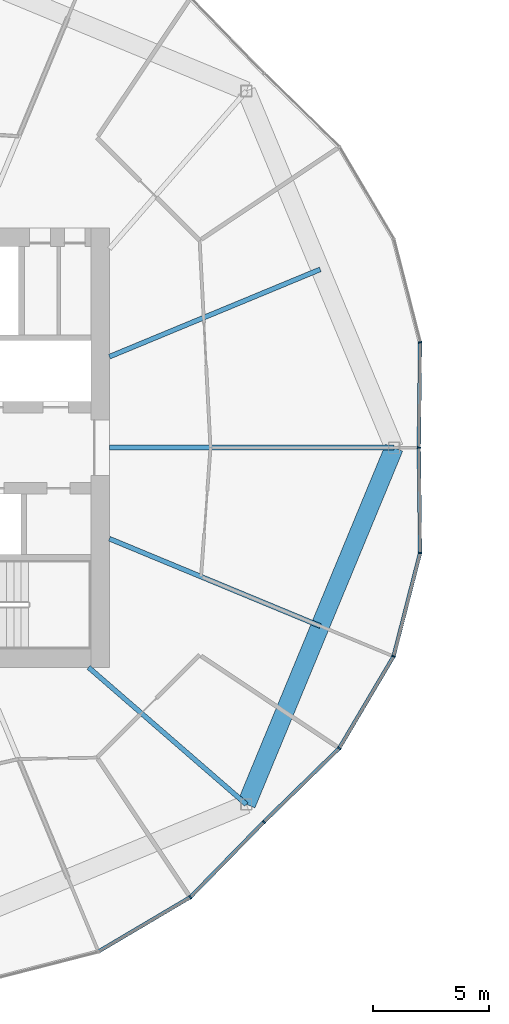
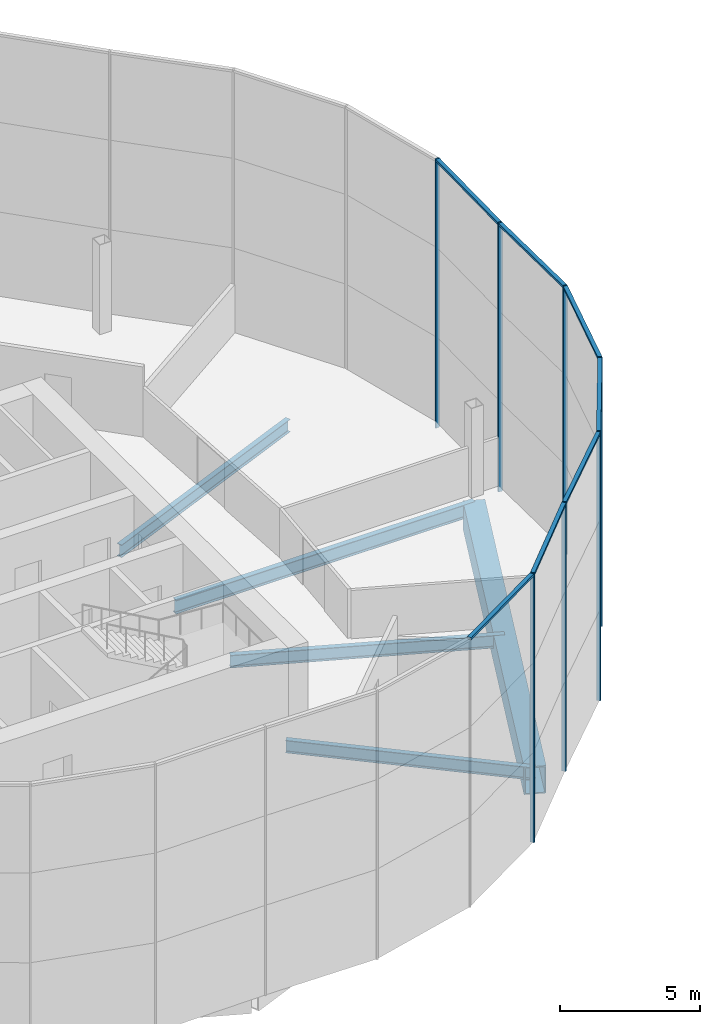
# One storey, part 6 of 25: 14 members, 5 beams, 3 elements without a shape of their own.
"""IFC4 building model written with IfcOpenShell, lengths in metres."""

from ifc_helpers import new_model, si_unit, direction, frame, origin, origin_2d, place, context, subcontext, project, spatial, rectangle, hollow_rectangle, i_section, extrude, material, material_profile, profile_set, type_object, element, aggregate, save


model = new_model("IFC4")

# Units and contexts
model_context = context("Model", 3, precision=1e-05, world=origin(), true_north=direction((0.0, 1.0)))
body_context = subcontext(model_context, "Body", "Model", "MODEL_VIEW")
ifc_project = project(units=[si_unit("LENGTHUNIT", "METRE"), si_unit("AREAUNIT", "SQUARE_METRE"), si_unit("VOLUMEUNIT", "CUBIC_METRE"), si_unit("PLANEANGLEUNIT", "RADIAN"), si_unit("MASSUNIT", "GRAM", prefix="KILO")], contexts=[model_context])

# Site, building, storey
site_placement = place(None, origin())
site = spatial("IfcSite", under=ifc_project, at=site_placement, CompositionType="ELEMENT")
building_placement = place(site_placement, origin())
building = spatial("IfcBuilding", under=site, at=building_placement, Name="Ogive Gate Towers", CompositionType="ELEMENT")
storey_placement = place(building_placement, frame((0.0, 0.0, 44.10009765625)))
storey = spatial("IfcBuildingStorey", under=building, at=storey_placement, Name="L09", CompositionType="ELEMENT", Elevation=44.10009765625)

# Beams
ifc_material_1 = material(Name="Steel SM460", Category="steel")
ifc_material_profile_1 = material_profile(ifc_material_1, hollow_rectangle(XDim=0.800048828125, YDim=1.199951171875, WallThickness=0.050048828125, at=origin_2d()), Name="BX 1200x800x50")
ifc_profile_set_1 = profile_set([ifc_material_profile_1], Name="Steel SM460")
beam_type_1 = type_object("IfcBeamType", Name="Edge girder BX 1200x800x50", PredefinedType="BEAM", material=ifc_profile_set_1)
beam_1_placement = place(storey_placement, frame((-20.577880859375, -15.422119140625, -0.900146484375), z_axis=(0.382677733282, 0.923881893128, 0.0), x_axis=(-0.923881893128, 0.382677733282, 0.0)))
element("IfcBeam", 1, at=beam_1_placement, inside=storey, type_object=beam_type_1, Name="T1/L09/SBM019", PredefinedType="BEAM", context=body_context, shape_type="SweptSolid", body=[
    extrude(hollow_rectangle(XDim=0.800048828125, YDim=1.199951171875, WallThickness=0.050048828125, at=origin_2d()), origin(), (0.0, 0.0, 1.0), 16.692626953125),
])
ifc_material_2 = material(Name="Steel SM355", Category="steel")
ifc_material_profile_2 = material_profile(ifc_material_2, i_section(OverallWidth=0.2099609375, OverallDepth=0.550048828125, WebThickness=0.010986328125, FlangeThickness=0.01708984375, FilletRadius=0.02392578125, at=origin_2d()), Name="IPE 550")
ifc_profile_set_2 = profile_set([ifc_material_profile_2], Name="Steel SM355")
beam_type_2 = type_object("IfcBeamType", Name="Radial floor beam IPE 550", PredefinedType="BEAM", material=ifc_profile_set_2)
beam_2_placement = place(storey_placement, frame((-27.39990234375, -9.5, -0.5751953125), z_axis=(0.755157389596, -0.655543527875, 0.0), x_axis=(0.655543527875, 0.755157389596, 0.0)))
element("IfcBeam", 2, at=beam_2_placement, inside=storey, type_object=beam_type_2, Name="T1/L09/SBM005", PredefinedType="BEAM", context=body_context, shape_type="SweptSolid", body=[
    extrude(i_section(OverallWidth=0.2099609375, OverallDepth=0.550048828125, WebThickness=0.010986328125, FlangeThickness=0.01708984375, FilletRadius=0.02392578125, at=origin_2d()), origin(), (0.0, 0.0, 1.0), 9.033935546875),
])
for number, where, z_axis, x_axis, name in (
    (3, (-26.5, -3.93505859375, -0.5751953125), (0.923882333645, -0.38267666976, 0.0), (0.38267666976, 0.923882333645, 0.0), "T1/L09/SBM006"),
    (4, (-26.5, 3.93505859375, -0.5751953125), (0.923882333645, 0.38267666976, 0.0), (-0.38267666976, 0.923882333645, 0.0), "T1/L09/SBM008"),
):
    element("IfcBeam", number, at=place(storey_placement, frame(where, z_axis=z_axis, x_axis=x_axis)), inside=storey, type_object=beam_type_2, Name=name, PredefinedType="BEAM", context=body_context, shape_type="SweptSolid", body=[
        extrude(i_section(OverallWidth=0.2099609375, OverallDepth=0.550048828125, WebThickness=0.010986328125, FlangeThickness=0.01708984375, FilletRadius=0.02392578125, at=origin_2d()), origin(), (0.0, 0.0, 1.0), 9.866943359375),
    ])
ifc_material_profile_3 = material_profile(ifc_material_2, i_section(OverallWidth=0.219970703125, OverallDepth=0.60009765625, WebThickness=0.011962890625, FlangeThickness=0.01904296875, FilletRadius=0.02392578125, at=origin_2d()), Name="IPE 600")
ifc_profile_set_3 = profile_set([ifc_material_profile_3], Name="Steel SM355")
beam_type_3 = type_object("IfcBeamType", Name="Radial floor beam IPE 600", PredefinedType="BEAM", material=ifc_profile_set_3)
beam_3_placement = place(storey_placement, frame((-26.5, 0.0, -0.60009765625), z_axis=(1.0, 0.0, 0.0), x_axis=(0.0, 1.0, 0.0)))
element("IfcBeam", 5, at=beam_3_placement, inside=storey, type_object=beam_type_3, Name="T1/L09/SBM007", PredefinedType="BEAM", context=body_context, shape_type="SweptSolid", body=[
    extrude(i_section(OverallWidth=0.219970703125, OverallDepth=0.60009765625, WebThickness=0.011962890625, FlangeThickness=0.01904296875, FilletRadius=0.02392578125, at=origin_2d()), origin(), (0.0, 0.0, 1.0), 12.31005859375),
])

# Curtain wall, members
ifc_material_3 = material(Name="Pale metal aluminium", Category="aluminium")
curtain_wall_type = type_object("IfcCurtainWallType", Name="Tower unitised wall, low zone", PredefinedType="NOTDEFINED", material=ifc_material_3)
curtain_wall_1_placement = place(storey_placement, origin())
curtain_wall_1 = element("IfcCurtainWall", 6, at=curtain_wall_1_placement, inside=storey, type_object=curtain_wall_type, Name="CW1 T1 ECW01", PredefinedType="NOTDEFINED")
ifc_material_profile_4 = material_profile(ifc_material_3, rectangle(XDim=0.159912109375, YDim=0.06005859375, at=origin_2d()), Name="60 x 160 aluminium box")
ifc_profile_set_4 = profile_set([ifc_material_profile_4], Name="Pale metal aluminium")
member_type_1 = type_object("IfcMemberType", Name="Tower unitised wall, low zone mullion 60 x 160", PredefinedType="MULLION", material=ifc_profile_set_4)
member_1_placement = place(storey_placement, frame((-13.1201171875, 0.000244140625, -0.300048828125), z_axis=(0.0, 0.0, 1.0), x_axis=(0.99993385595, -0.011501466179, 0.0)))
member_1 = element("IfcMember", 7, at=member_1_placement, type_object=member_type_1, Name="CW1 mullion", PredefinedType="MULLION", context=body_context, shape_type="SweptSolid", body=[
    extrude(rectangle(XDim=0.159912109375, YDim=0.06005859375, at=origin_2d()), origin(), (0.0, 0.0, 1.0), 11.699951171875),
])
member_2_placement = place(storey_placement, frame((-13.0673828125, 4.555419921875, -0.300048828125), z_axis=(0.0, 0.0, 1.0), x_axis=(0.992828457767, 0.119547703651, 0.0)))
member_2 = element("IfcMember", 8, at=member_2_placement, type_object=member_type_1, Name="CW1 mullion", PredefinedType="MULLION", context=body_context, shape_type="SweptSolid", body=[
    extrude(rectangle(XDim=0.159912109375, YDim=0.06005859375, at=origin_2d()), origin(), (0.0, 0.0, 1.0), 11.699951171875),
])

curtain_wall_2_placement = place(storey_placement, origin())
curtain_wall_2 = element("IfcCurtainWall", 9, at=curtain_wall_2_placement, inside=storey, type_object=curtain_wall_type, Name="CW1 T1 ECW07", PredefinedType="NOTDEFINED")
member_3_placement = place(storey_placement, frame((-23.00537109375, -19.43701171875, -0.300048828125), z_axis=(0.0, 0.0, 1.0), x_axis=(0.617516471235, -0.786557949393, 0.0)))
member_3 = element("IfcMember", 10, at=member_3_placement, type_object=member_type_1, Name="CW1 mullion", PredefinedType="MULLION", context=body_context, shape_type="SweptSolid", body=[
    extrude(rectangle(XDim=0.159912109375, YDim=0.06005859375, at=origin_2d()), origin(), (0.0, 0.0, 1.0), 11.699951171875),
])
member_4_placement = place(storey_placement, frame((-19.821533203125, -16.1787109375, -0.300048828125), z_axis=(0.0, 0.0, 1.0), x_axis=(0.715204973482, -0.698914762976, 0.0)))
member_4 = element("IfcMember", 11, at=member_4_placement, type_object=member_type_1, Name="CW1 mullion", PredefinedType="MULLION", context=body_context, shape_type="SweptSolid", body=[
    extrude(rectangle(XDim=0.159912109375, YDim=0.06005859375, at=origin_2d()), origin(), (0.0, 0.0, 1.0), 11.699951171875),
])

curtain_wall_3_placement = place(storey_placement, origin())
curtain_wall_3 = element("IfcCurtainWall", 12, at=curtain_wall_3_placement, inside=storey, type_object=curtain_wall_type, Name="CW1 T1 ECW08", PredefinedType="NOTDEFINED")
member_5_placement = place(storey_placement, frame((-16.56298828125, -12.99462890625, -0.300048828125), z_axis=(0.0, 0.0, 1.0), x_axis=(0.786557949393, -0.617516471235, 0.0)))
member_5 = element("IfcMember", 13, at=member_5_placement, type_object=member_type_1, Name="CW1 mullion", PredefinedType="MULLION", context=body_context, shape_type="SweptSolid", body=[
    extrude(rectangle(XDim=0.159912109375, YDim=0.06005859375, at=origin_2d()), origin(), (0.0, 0.0, 1.0), 11.699951171875),
])
member_6_placement = place(storey_placement, frame((-14.214111328125, -9.02392578125, -0.300048828125), z_axis=(0.0, 0.0, 1.0), x_axis=(0.923879532511, -0.382683432365, 0.0)))
member_6 = element("IfcMember", 14, at=member_6_placement, type_object=member_type_1, Name="CW1 mullion", PredefinedType="MULLION", context=body_context, shape_type="SweptSolid", body=[
    extrude(rectangle(XDim=0.159912109375, YDim=0.06005859375, at=origin_2d()), origin(), (0.0, 0.0, 1.0), 11.699951171875),
])
member_7_placement = place(storey_placement, frame((-13.0673828125, -4.555419921875, -0.300048828125), z_axis=(0.0, 0.0, 1.0), x_axis=(0.992828457767, -0.119547703651, 0.0)))
member_7 = element("IfcMember", 15, at=member_7_placement, type_object=member_type_1, Name="CW1 mullion", PredefinedType="MULLION", context=body_context, shape_type="SweptSolid", body=[
    extrude(rectangle(XDim=0.159912109375, YDim=0.06005859375, at=origin_2d()), origin(), (0.0, 0.0, 1.0), 11.699951171875),
])

# Member
ifc_material_profile_5 = material_profile(ifc_material_3, rectangle(XDim=0.159912109375, YDim=0.10009765625, at=origin_2d()), Name="100 x 160 aluminium box")
ifc_profile_set_5 = profile_set([ifc_material_profile_5], Name="Pale metal aluminium")
member_type_2 = type_object("IfcMemberType", Name="Tower unitised wall, low zone transom 100 x 160", PredefinedType="USERDEFINED", material=ifc_profile_set_5)
member_8_placement = place(storey_placement, frame((-13.11962890625, 0.0302734375, 11.349853515625), z_axis=(0.011507217644, 0.999933789779, 0.0), x_axis=(-0.999933789779, 0.011507217644, 0.0)))
member_8 = element("IfcMember", 16, at=member_8_placement, type_object=member_type_2, Name="CW1 transom", ObjectType="TRANSOM", PredefinedType="USERDEFINED", context=body_context, shape_type="SweptSolid", body=[
    extrude(rectangle(XDim=0.159912109375, YDim=0.10009765625, at=origin_2d()), origin(), (0.0, 0.0, 1.0), 4.497802734375),
])

aggregate(curtain_wall_1, [member_1, member_2, member_8])

member_9_placement = place(storey_placement, frame((-26.95263671875, -21.77197265625, 11.349853515625), z_axis=(0.860670555769, 0.509162247651, 0.0), x_axis=(-0.509162247651, 0.860670555769, 0.0)))
member_9 = element("IfcMember", 17, at=member_9_placement, type_object=member_type_2, Name="CW1 transom", ObjectType="TRANSOM", PredefinedType="USERDEFINED", context=body_context, shape_type="SweptSolid", body=[
    extrude(rectangle(XDim=0.159912109375, YDim=0.10009765625, at=origin_2d()), origin(), (0.0, 0.0, 1.0), 4.55908203125),
])

member_10_placement = place(storey_placement, frame((-22.986083984375, -19.417236328125, 11.349853515625), z_axis=(0.698890670971, 0.715228515951, 0.0), x_axis=(-0.715228515951, 0.698890670971, 0.0)))
member_10 = element("IfcMember", 18, at=member_10_placement, type_object=member_type_2, Name="CW1 transom", ObjectType="TRANSOM", PredefinedType="USERDEFINED", context=body_context, shape_type="SweptSolid", body=[
    extrude(rectangle(XDim=0.159912109375, YDim=0.10009765625, at=origin_2d()), origin(), (0.0, 0.0, 1.0), 4.497802734375),
])

aggregate(curtain_wall_2, [member_3, member_9, member_4, member_10])

member_11_placement = place(storey_placement, frame((-19.7998046875, -16.157470703125, 11.349853515625), z_axis=(0.715228515951, 0.698890670971, 0.0), x_axis=(-0.698890670971, 0.715228515951, 0.0)))
member_11 = element("IfcMember", 19, at=member_11_placement, type_object=member_type_2, Name="CW1 transom", ObjectType="TRANSOM", PredefinedType="USERDEFINED", context=body_context, shape_type="SweptSolid", body=[
    extrude(rectangle(XDim=0.159912109375, YDim=0.10009765625, at=origin_2d()), origin(), (0.0, 0.0, 1.0), 4.497802734375),
])

member_12_placement = place(storey_placement, frame((-16.54931640625, -12.97119140625, 11.349853515625), z_axis=(0.509162247651, 0.860670555769, 0.0), x_axis=(-0.860670555769, 0.509162247651, 0.0)))
member_12 = element("IfcMember", 20, at=member_12_placement, type_object=member_type_2, Name="CW1 transom", ObjectType="TRANSOM", PredefinedType="USERDEFINED", context=body_context, shape_type="SweptSolid", body=[
    extrude(rectangle(XDim=0.159912109375, YDim=0.10009765625, at=origin_2d()), origin(), (0.0, 0.0, 1.0), 4.55908203125),
])

member_13_placement = place(storey_placement, frame((-14.20751953125, -8.997802734375, 11.349853515625), z_axis=(0.248528665272, 0.968624541573, 0.0), x_axis=(-0.968624541573, 0.248528665272, 0.0)))
member_13 = element("IfcMember", 21, at=member_13_placement, type_object=member_type_2, Name="CW1 transom", ObjectType="TRANSOM", PredefinedType="USERDEFINED", context=body_context, shape_type="SweptSolid", body=[
    extrude(rectangle(XDim=0.159912109375, YDim=0.10009765625, at=origin_2d()), origin(), (0.0, 0.0, 1.0), 4.55908203125),
])

member_14_placement = place(storey_placement, frame((-13.06787109375, -4.52783203125, 11.349853515625), z_axis=(-0.011507217644, 0.999933789779, 0.0), x_axis=(-0.999933789779, -0.011507217644, 0.0)))
member_14 = element("IfcMember", 22, at=member_14_placement, type_object=member_type_2, Name="CW1 transom", ObjectType="TRANSOM", PredefinedType="USERDEFINED", context=body_context, shape_type="SweptSolid", body=[
    extrude(rectangle(XDim=0.159912109375, YDim=0.10009765625, at=origin_2d()), origin(), (0.0, 0.0, 1.0), 4.497802734375),
])

aggregate(curtain_wall_3, [member_5, member_11, member_6, member_12, member_7, member_13, member_14])

save(model, "model.ifc")
